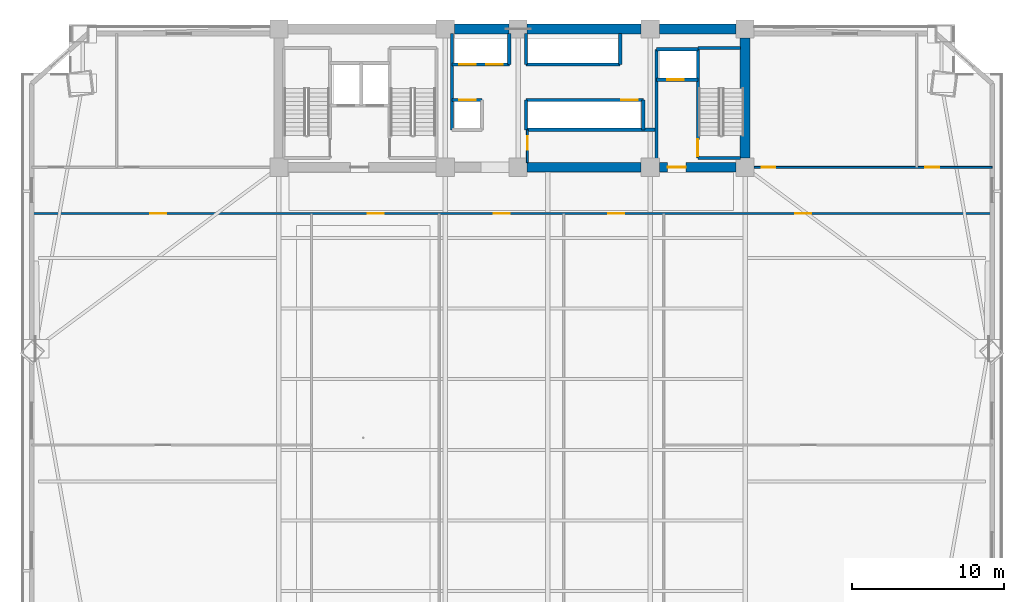
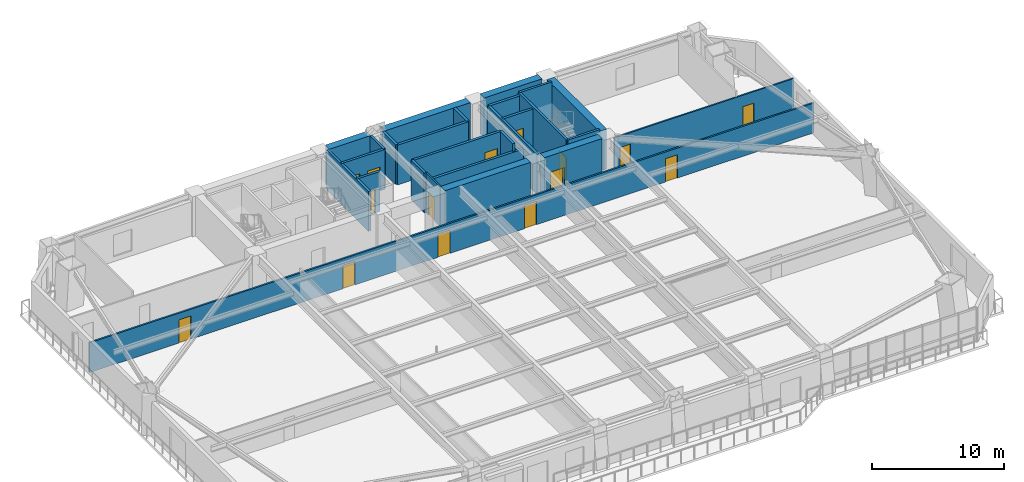
# One storey, part 10 of 17: 26 walls, 15 doors, 15 openings.
"""IFC4 building model written with IfcOpenShell, lengths in metres."""

from ifc_helpers import new_model, si_unit, direction, frame, frame_2d, origin, place, context, subcontext, project, spatial, rectangle, extrude, source, transform, mapped, material, layer, layer_set, type_object, element, fill, save


model = new_model("IFC4")

# Units and contexts
model_context = context("Model", 3, precision=1e-05, world=origin(), true_north=direction((0.0, 1.0)))
body_context = subcontext(model_context, "Body", "Model", "MODEL_VIEW")
ifc_project = project(units=[si_unit("LENGTHUNIT", "METRE"), si_unit("AREAUNIT", "SQUARE_METRE"), si_unit("VOLUMEUNIT", "CUBIC_METRE"), si_unit("PLANEANGLEUNIT", "RADIAN"), si_unit("MASSUNIT", "GRAM", prefix="KILO")], contexts=[model_context])

# Site, building, storey
site_placement = place(None, origin())
site = spatial("IfcSite", under=ifc_project, at=site_placement, CompositionType="ELEMENT")
building_placement = place(site_placement, origin())
building = spatial("IfcBuilding", under=site, at=building_placement, Name="Giltprow Tower", CompositionType="ELEMENT")
storey_placement = place(building_placement, frame((0.0, 0.0, 57.199951171875)))
storey = spatial("IfcBuildingStorey", under=building, at=storey_placement, Name="L14", CompositionType="ELEMENT", Elevation=57.199951171875)

# Wall, openings, doors
ifc_material_1 = material(Name="Gypsum stud partition", Category="gypsum")
ifc_layer_1 = layer(ifc_material_1, 0.14990234375, Name="Gypsum stud partition")
ifc_layer_set_1 = layer_set([ifc_layer_1], Name="Gypsum stud partition")
wall_type_1 = type_object("IfcWallType", Name="IW-CORR-150", PredefinedType="PARTITIONING", material=ifc_layer_set_1)
wall_1_placement = place(storey_placement, frame((3.570068359375, 34.39990234375, 0.0), z_axis=(0.0, 0.0, 1.0), x_axis=(1.0, 0.0, 0.0)))
wall_1 = element("IfcWall", 1, at=wall_1_placement, inside=storey, type_object=wall_type_1, Name="L14 Office Loop Corridor Wall", PredefinedType="PARTITIONING", context=body_context, shape_type="SweptSolid", body=[
    extrude(rectangle(XDim=63.260009765625, YDim=0.14990234375, at=frame_2d((31.6298828125, 0.0))), origin(), (0.0, 0.0, 1.0), 2.76513671875),
])
opening_1_placement = place(wall_1_placement, frame((7.799072265625, 0.0, 0.0)))
opening_1 = element("IfcOpeningElement", 2, at=opening_1_placement, cuts=wall_1, Name="Opening ID31", PredefinedType="OPENING", context=body_context, shape_type="SweptSolid", body=[
    extrude(rectangle(XDim=1.050048828125, YDim=2.14990234375, at=frame_2d((0.52490234375, 1.074951171875))), frame((0.0, 0.0849609375, 0.0), z_axis=(0.0, -1.0, 0.0), x_axis=(1.0, 0.0, 0.0)), (0.0, 0.0, 1.0), 0.169921875),
])
opening_2_placement = place(wall_1_placement, frame((22.12109375, 0.0, 0.0)))
opening_2 = element("IfcOpeningElement", 3, at=opening_2_placement, cuts=wall_1, Name="Opening ID31", PredefinedType="OPENING", context=body_context, shape_type="SweptSolid", body=[
    extrude(rectangle(XDim=1.050048828125, YDim=2.14990234375, at=frame_2d((0.52490234375, 1.074951171875))), frame((0.0, 0.0849609375, 0.0), z_axis=(0.0, -1.0, 0.0), x_axis=(1.0, 0.0, 0.0)), (0.0, 0.0, 1.0), 0.169921875),
])
opening_3_placement = place(wall_1_placement, frame((30.43701171875, 0.0, 0.0)))
opening_3 = element("IfcOpeningElement", 4, at=opening_3_placement, cuts=wall_1, Name="Opening ID31", PredefinedType="OPENING", context=body_context, shape_type="SweptSolid", body=[
    extrude(rectangle(XDim=1.050048828125, YDim=2.14990234375, at=frame_2d((0.52490234375, 1.074951171875))), frame((0.0, 0.0849609375, 0.0), z_axis=(0.0, -1.0, 0.0), x_axis=(1.0, 0.0, 0.0)), (0.0, 0.0, 1.0), 0.169921875),
])
opening_4_placement = place(wall_1_placement, frame((37.965087890625, 0.0, 0.0)))
opening_4 = element("IfcOpeningElement", 5, at=opening_4_placement, cuts=wall_1, Name="Opening ID31", PredefinedType="OPENING", context=body_context, shape_type="SweptSolid", body=[
    extrude(rectangle(XDim=1.050048828125, YDim=2.14990234375, at=frame_2d((0.52490234375, 1.074951171875))), frame((0.0, 0.0849609375, 0.0), z_axis=(0.0, -1.0, 0.0), x_axis=(1.0, 0.0, 0.0)), (0.0, 0.0, 1.0), 0.169921875),
])
opening_5_placement = place(wall_1_placement, frame((50.27392578125, 0.0, 0.0)))
opening_5 = element("IfcOpeningElement", 6, at=opening_5_placement, cuts=wall_1, Name="Opening ID31", PredefinedType="OPENING", context=body_context, shape_type="SweptSolid", body=[
    extrude(rectangle(XDim=1.050048828125, YDim=2.14990234375, at=frame_2d((0.52490234375, 1.074951171875))), frame((0.0, 0.0849609375, 0.0), z_axis=(0.0, -1.0, 0.0), x_axis=(1.0, 0.0, 0.0)), (0.0, 0.0, 1.0), 0.169921875),
])
ifc_material_2 = material(Name="Engineered timber", Category="wood")
door_type_1 = type_object("IfcDoorType", Name="DR-SUITE-1050", OperationType="SINGLE_SWING_LEFT", PredefinedType="DOOR", material=ifc_material_2)
shared_shape_1 = source(origin(), body_context, "Body", "SweptSolid", [
    extrude(rectangle(XDim=1.050048828125, YDim=2.14990234375, at=frame_2d((0.52490234375, 1.074951171875))), frame((0.0, 0.02490234375, 0.0), z_axis=(0.0, -1.0, 0.0), x_axis=(1.0, 0.0, 0.0)), (0.0, 0.0, 1.0), 0.050048828125),
])
door_1_placement = place(opening_1_placement, origin())
door_1 = element("IfcDoor", 7, at=door_1_placement, inside=storey, type_object=door_type_1, Name="L14 Suite Reception Foyer Door", OperationType="SINGLE_SWING_RIGHT", OverallHeight=2.14990234375, OverallWidth=1.050048828125, PredefinedType="DOOR", context=body_context, shape_type="MappedRepresentation", body=[
    mapped(shared_shape_1, transform((0.0, 0.0, 0.0), x_axis=(1.0, 0.0, 0.0), y_axis=(0.0, 1.0, 0.0), z_axis=(0.0, 0.0, 1.0), scale=1.0)),
])
fill(opening_1, door_1)
door_2_placement = place(opening_2_placement, origin())
door_2 = element("IfcDoor", 8, at=door_2_placement, inside=storey, type_object=door_type_1, Name="L14 Brand Gallery Shop 2 Door", OperationType="SINGLE_SWING_RIGHT", OverallHeight=2.14990234375, OverallWidth=1.050048828125, PredefinedType="DOOR", context=body_context, shape_type="MappedRepresentation", body=[
    mapped(shared_shape_1, transform((0.0, 0.0, 0.0), x_axis=(1.0, 0.0, 0.0), y_axis=(0.0, 1.0, 0.0), z_axis=(0.0, 0.0, 1.0), scale=1.0)),
])
fill(opening_2, door_2)
door_3_placement = place(opening_3_placement, origin())
door_3 = element("IfcDoor", 9, at=door_3_placement, inside=storey, type_object=door_type_1, Name="L14 Watches Boutique Shop 3 Door", OperationType="SINGLE_SWING_LEFT", OverallHeight=2.14990234375, OverallWidth=1.050048828125, PredefinedType="DOOR", context=body_context, shape_type="MappedRepresentation", body=[
    mapped(shared_shape_1, transform((0.0, 0.0, 0.0), x_axis=(1.0, 0.0, 0.0), y_axis=(0.0, 1.0, 0.0), z_axis=(0.0, 0.0, 1.0), scale=1.0)),
])
fill(opening_3, door_3)
door_4_placement = place(opening_4_placement, origin())
door_4 = element("IfcDoor", 10, at=door_4_placement, inside=storey, type_object=door_type_1, Name="L14 Apparel Showroom Shop 4 Door", OperationType="SINGLE_SWING_RIGHT", OverallHeight=2.14990234375, OverallWidth=1.050048828125, PredefinedType="DOOR", context=body_context, shape_type="MappedRepresentation", body=[
    mapped(shared_shape_1, transform((0.0, 0.0, 0.0), x_axis=(1.0, 0.0, 0.0), y_axis=(0.0, 1.0, 0.0), z_axis=(0.0, 0.0, 1.0), scale=1.0)),
])
fill(opening_4, door_4)
door_5_placement = place(opening_5_placement, origin())
door_5 = element("IfcDoor", 11, at=door_5_placement, inside=storey, type_object=door_type_1, Name="L14 Suite Reception Foyer Door", OperationType="SINGLE_SWING_LEFT", OverallHeight=2.14990234375, OverallWidth=1.050048828125, PredefinedType="DOOR", context=body_context, shape_type="MappedRepresentation", body=[
    mapped(shared_shape_1, transform((0.0, 0.0, 0.0), x_axis=(1.0, 0.0, 0.0), y_axis=(0.0, 1.0, 0.0), z_axis=(0.0, 0.0, 1.0), scale=1.0)),
])
fill(opening_5, door_5)

# Wall, opening, door
ifc_material_3 = material(Name="Concrete C40", Category="concrete")
ifc_layer_2 = layer(ifc_material_3, 0.219970703125, Name="Concrete C40")
ifc_layer_set_2 = layer_set([ifc_layer_2], Name="Concrete C40")
wall_type_2 = type_object("IfcWallType", Name="IW-SHAFT-220", PredefinedType="SOLIDWALL", material=ifc_layer_set_2)
wall_2_placement = place(storey_placement, frame((44.719970703125, 43.219970703125, 0.0), z_axis=(0.0, 0.0, 1.0), x_axis=(1.0, 0.0, 0.0)))
wall_2 = element("IfcWall", 12, at=wall_2_placement, inside=storey, type_object=wall_type_2, Name="L14 FFL2 Front Shaft Wall", PredefinedType="SOLIDWALL", context=body_context, shape_type="SweptSolid", body=[
    extrude(rectangle(XDim=2.719970703125, YDim=0.219970703125, at=frame_2d((1.35986328125, 0.0))), origin(), (0.0, 0.0, 1.0), 3.679931640625),
])
opening_6_placement = place(wall_2_placement, frame((0.699951171875, 0.0, 0.0)))
opening_6 = element("IfcOpeningElement", 13, at=opening_6_placement, cuts=wall_2, Name="Opening LD-11", PredefinedType="OPENING", context=body_context, shape_type="SweptSolid", body=[
    extrude(rectangle(XDim=1.10009765625, YDim=2.199951171875, at=frame_2d((0.550048828125, 1.10009765625))), frame((0.0, 0.119873046875, 0.0), z_axis=(0.0, -1.0, 0.0), x_axis=(1.0, 0.0, 0.0)), (0.0, 0.0, 1.0), 0.239990234375),
])
ifc_material_4 = material(Name="Stainless steel", Category="steel")
door_type_2 = type_object("IfcDoorType", Name="DR-LIFT-LD1100", OperationType="SLIDING_TO_LEFT", PredefinedType="DOOR", material=ifc_material_4)
shared_shape_2 = source(origin(), body_context, "Body", "SweptSolid", [
    extrude(rectangle(XDim=1.10009765625, YDim=2.199951171875, at=frame_2d((0.550048828125, 1.10009765625))), frame((0.0, 0.02490234375, 0.0), z_axis=(0.0, -1.0, 0.0), x_axis=(1.0, 0.0, 0.0)), (0.0, 0.0, 1.0), 0.050048828125),
])
door_6_placement = place(opening_6_placement, origin())
door_6 = element("IfcDoor", 14, at=door_6_placement, inside=storey, type_object=door_type_2, Name="L14 FFL2 Landing Door", OperationType="SLIDING_TO_LEFT", OverallHeight=2.199951171875, OverallWidth=1.10009765625, PredefinedType="DOOR", context=body_context, shape_type="MappedRepresentation", body=[
    mapped(shared_shape_2, transform((0.0, 0.0, 0.0), x_axis=(1.0, 0.0, 0.0), y_axis=(0.0, 1.0, 0.0), z_axis=(0.0, 0.0, 1.0), scale=1.0)),
])
fill(opening_6, door_6)

# Walls
wall_3_placement = place(storey_placement, frame((44.719970703125, 45.219970703125, 0.0), z_axis=(0.0, 0.0, 1.0), x_axis=(1.0, 0.0, 0.0)))
element("IfcWall", 15, at=wall_3_placement, inside=storey, type_object=wall_type_2, Name="L14 FFL2 Back Shaft Wall", PredefinedType="SOLIDWALL", context=body_context, shape_type="SweptSolid", body=[
    extrude(rectangle(XDim=2.719970703125, YDim=0.219970703125, at=frame_2d((1.35986328125, 0.0))), origin(), (0.0, 0.0, 1.0), 3.679931640625),
])
wall_4_placement = place(storey_placement, frame((44.719970703125, 37.7548828125, 0.0), z_axis=(0.0, 0.0, 1.0), x_axis=(0.0, 1.0, 0.0)))
element("IfcWall", 16, at=wall_4_placement, inside=storey, type_object=wall_type_2, Name="L14 East Firefighting Lobby West Wall", PredefinedType="SOLIDWALL", context=body_context, shape_type="SweptSolid", body=[
    extrude(rectangle(XDim=7.465087890625, YDim=0.219970703125, at=frame_2d((3.732421875, 0.0))), origin(), (0.0, 0.0, 1.0), 3.679931640625),
])

# Wall, openings, doors
wall_5_placement = place(storey_placement, frame((31.25, 44.219970703125, 0.0), z_axis=(0.0, 0.0, 1.0), x_axis=(1.0, 0.0, 0.0)))
wall_5 = element("IfcWall", 17, at=wall_5_placement, inside=storey, type_object=wall_type_2, Name="L14 North West Lift Shaft Front Wall", PredefinedType="SOLIDWALL", context=body_context, shape_type="SweptSolid", body=[
    extrude(rectangle(XDim=3.77001953125, YDim=0.219970703125, at=frame_2d((1.885009765625, 0.0))), origin(), (0.0, 0.0, 1.0), 3.679931640625),
])
opening_7_placement = place(wall_5_placement, frame((0.4599609375, 0.0, 0.0)))
opening_7 = element("IfcOpeningElement", 18, at=opening_7_placement, cuts=wall_5, Name="Opening LD-11", PredefinedType="OPENING", context=body_context, shape_type="SweptSolid", body=[
    extrude(rectangle(XDim=1.10009765625, YDim=2.199951171875, at=frame_2d((0.550048828125, 1.10009765625))), frame((0.0, 0.119873046875, 0.0), z_axis=(0.0, -1.0, 0.0), x_axis=(1.0, 0.0, 0.0)), (0.0, 0.0, 1.0), 0.239990234375),
])
opening_8_placement = place(wall_5_placement, frame((2.239990234375, 0.0, 0.0)))
opening_8 = element("IfcOpeningElement", 19, at=opening_8_placement, cuts=wall_5, Name="Opening LD-11", PredefinedType="OPENING", context=body_context, shape_type="SweptSolid", body=[
    extrude(rectangle(XDim=1.10009765625, YDim=2.199951171875, at=frame_2d((0.550048828125, 1.10009765625))), frame((0.0, 0.119873046875, 0.0), z_axis=(0.0, -1.0, 0.0), x_axis=(1.0, 0.0, 0.0)), (0.0, 0.0, 1.0), 0.239990234375),
])
door_7_placement = place(opening_7_placement, origin())
door_7 = element("IfcDoor", 20, at=door_7_placement, inside=storey, type_object=door_type_2, Name="L14 PL-L1 Landing Door", OperationType="SLIDING_TO_LEFT", OverallHeight=2.199951171875, OverallWidth=1.10009765625, PredefinedType="DOOR", context=body_context, shape_type="MappedRepresentation", body=[
    mapped(shared_shape_2, transform((0.0, 0.0, 0.0), x_axis=(1.0, 0.0, 0.0), y_axis=(0.0, 1.0, 0.0), z_axis=(0.0, 0.0, 1.0), scale=1.0)),
])
fill(opening_7, door_7)
door_8_placement = place(opening_8_placement, origin())
door_8 = element("IfcDoor", 21, at=door_8_placement, inside=storey, type_object=door_type_2, Name="L14 PL-L2 Landing Door", OperationType="SLIDING_TO_LEFT", OverallHeight=2.199951171875, OverallWidth=1.10009765625, PredefinedType="DOOR", context=body_context, shape_type="MappedRepresentation", body=[
    mapped(shared_shape_2, transform((0.0, 0.0, 0.0), x_axis=(1.0, 0.0, 0.0), y_axis=(0.0, 1.0, 0.0), z_axis=(0.0, 0.0, 1.0), scale=1.0)),
])
fill(opening_8, door_8)

# Walls
wall_6_placement = place(storey_placement, frame((36.1201171875, 44.219970703125, 0.0), z_axis=(0.0, 0.0, 1.0), x_axis=(1.0, 0.0, 0.0)))
element("IfcWall", 22, at=wall_6_placement, inside=storey, type_object=wall_type_2, Name="L14 North East Lift Shaft Front Wall", PredefinedType="SOLIDWALL", context=body_context, shape_type="SweptSolid", body=[
    extrude(rectangle(XDim=6.199951171875, YDim=0.219970703125, at=frame_2d((3.10009765625, 0.0))), origin(), (0.0, 0.0, 1.0), 3.679931640625),
])
for number, where, z_axis, x_axis, name in (
    (23, (35.02001953125, 44.219970703125, 0.0), (0.0, 0.0, 1.0), (0.0, 1.0, 0.0), "L14 North West Lift Shaft East Closure"),
    (24, (36.1201171875, 44.219970703125, 0.0), (0.0, 0.0, 1.0), (0.0, 1.0, 0.0), "L14 North East Lift Shaft West Closure"),
    (25, (42.320068359375, 44.219970703125, 0.0), (0.0, 0.0, 1.0), (0.0, 1.0, 0.0), "L14 North East Lift Shaft East Closure"),
):
    element("IfcWall", number, at=place(storey_placement, frame(where, z_axis=z_axis, x_axis=x_axis)), inside=storey, type_object=wall_type_2, Name=name, PredefinedType="SOLIDWALL", context=body_context, shape_type="SweptSolid", body=[
        extrude(rectangle(XDim=2.025146484375, YDim=0.219970703125, at=frame_2d((1.0126953125, 0.0))), origin(), (0.0, 0.0, 1.0), 3.679931640625),
    ])

# Wall, opening, door
wall_7_placement = place(storey_placement, frame((31.25, 41.8798828125, 0.0), z_axis=(0.0, 0.0, 1.0), x_axis=(1.0, 0.0, 0.0)))
wall_7 = element("IfcWall", 26, at=wall_7_placement, inside=storey, type_object=wall_type_2, Name="L14 South West Lift Shaft Front Wall", PredefinedType="SOLIDWALL", context=body_context, shape_type="SweptSolid", body=[
    extrude(rectangle(XDim=1.969970703125, YDim=0.219970703125, at=frame_2d((0.98486328125, 0.0))), origin(), (0.0, 0.0, 1.0), 3.679931640625),
])
opening_9_placement = place(wall_7_placement, frame((0.4599609375, 0.0, 0.0)))
opening_9 = element("IfcOpeningElement", 27, at=opening_9_placement, cuts=wall_7, Name="Opening LD-11", PredefinedType="OPENING", context=body_context, shape_type="SweptSolid", body=[
    extrude(rectangle(XDim=1.10009765625, YDim=2.199951171875, at=frame_2d((0.550048828125, 1.10009765625))), frame((0.0, 0.119873046875, 0.0), z_axis=(0.0, -1.0, 0.0), x_axis=(1.0, 0.0, 0.0)), (0.0, 0.0, 1.0), 0.239990234375),
])
door_9_placement = place(opening_9_placement, origin())
door_9 = element("IfcDoor", 28, at=door_9_placement, inside=storey, type_object=door_type_2, Name="L14 PL-L3 Landing Door", OperationType="SLIDING_TO_LEFT", OverallHeight=2.199951171875, OverallWidth=1.10009765625, PredefinedType="DOOR", context=body_context, shape_type="MappedRepresentation", body=[
    mapped(shared_shape_2, transform((0.0, 0.0, 0.0), x_axis=(1.0, 0.0, 0.0), y_axis=(0.0, 1.0, 0.0), z_axis=(0.0, 0.0, 1.0), scale=1.0)),
])
fill(opening_9, door_9)

wall_8_placement = place(storey_placement, frame((36.1201171875, 41.8798828125, 0.0), z_axis=(0.0, 0.0, 1.0), x_axis=(1.0, 0.0, 0.0)))
wall_8 = element("IfcWall", 29, at=wall_8_placement, inside=storey, type_object=wall_type_2, Name="L14 South East Lift Shaft Front Wall", PredefinedType="SOLIDWALL", context=body_context, shape_type="SweptSolid", body=[
    extrude(rectangle(XDim=7.72998046875, YDim=0.219970703125, at=frame_2d((3.864990234375, 0.0))), origin(), (0.0, 0.0, 1.0), 3.679931640625),
])
opening_10_placement = place(wall_8_placement, frame((6.260009765625, 0.0, 0.0)))
opening_10 = element("IfcOpeningElement", 30, at=opening_10_placement, cuts=wall_8, Name="Opening LD-11", PredefinedType="OPENING", context=body_context, shape_type="SweptSolid", body=[
    extrude(rectangle(XDim=1.10009765625, YDim=2.199951171875, at=frame_2d((0.550048828125, 1.10009765625))), frame((0.0, 0.119873046875, 0.0), z_axis=(0.0, -1.0, 0.0), x_axis=(1.0, 0.0, 0.0)), (0.0, 0.0, 1.0), 0.239990234375),
])
door_10_placement = place(opening_10_placement, origin())
door_10 = element("IfcDoor", 31, at=door_10_placement, inside=storey, type_object=door_type_2, Name="L14 PL-L4 Landing Door", OperationType="SLIDING_TO_LEFT", OverallHeight=2.199951171875, OverallWidth=1.10009765625, PredefinedType="DOOR", context=body_context, shape_type="MappedRepresentation", body=[
    mapped(shared_shape_2, transform((0.0, 0.0, 0.0), x_axis=(1.0, 0.0, 0.0), y_axis=(0.0, 1.0, 0.0), z_axis=(0.0, 0.0, 1.0), scale=1.0)),
])
fill(opening_10, door_10)

# Walls
wall_9_placement = place(storey_placement, frame((36.1201171875, 39.919921875, 0.0), z_axis=(0.0, 0.0, 1.0), x_axis=(1.0, 0.0, 0.0)))
element("IfcWall", 32, at=wall_9_placement, inside=storey, type_object=wall_type_2, Name="L14 Express South Shaft Back Wall", PredefinedType="SOLIDWALL", context=body_context, shape_type="SweptSolid", body=[
    extrude(rectangle(XDim=8.599853515625, YDim=0.219970703125, at=frame_2d((4.2998046875, 0.0))), origin(), (0.0, 0.0, 1.0), 2.965087890625),
])
wall_10_placement = place(storey_placement, frame((36.1201171875, 39.919921875, 0.0), z_axis=(0.0, 0.0, 1.0), x_axis=(0.0, 1.0, 0.0)))
element("IfcWall", 33, at=wall_10_placement, inside=storey, type_object=wall_type_2, Name="L14 Express South Shaft West Closure", PredefinedType="SOLIDWALL", context=body_context, shape_type="SweptSolid", body=[
    extrude(rectangle(XDim=1.9599609375, YDim=0.219970703125, at=frame_2d((0.97998046875, 0.0))), origin(), (0.0, 0.0, 1.0), 3.679931640625),
])
wall_11_placement = place(storey_placement, frame((31.25, 39.919921875, 0.0), z_axis=(0.0, 0.0, 1.0), x_axis=(0.0, 1.0, 0.0)))
element("IfcWall", 34, at=wall_11_placement, inside=storey, type_object=wall_type_2, Name="L14 Lift Bank West Closure", PredefinedType="SOLIDWALL", context=body_context, shape_type="SweptSolid", body=[
    extrude(rectangle(XDim=6.3251953125, YDim=0.219970703125, at=frame_2d((3.16259765625, 0.0))), origin(), (0.0, 0.0, 1.0), 3.679931640625),
])
wall_12_placement = place(storey_placement, frame((43.85009765625, 39.919921875, 0.0), z_axis=(0.0, 0.0, 1.0), x_axis=(0.0, 1.0, 0.0)))
element("IfcWall", 35, at=wall_12_placement, inside=storey, type_object=wall_type_2, Name="L14 Lift Bank South-East Closure", PredefinedType="SOLIDWALL", context=body_context, shape_type="SweptSolid", body=[
    extrude(rectangle(XDim=1.9599609375, YDim=0.219970703125, at=frame_2d((0.97998046875, 0.0))), origin(), (0.0, 0.0, 1.0), 3.679931640625),
])

# Wall, opening, door
ifc_layer_3 = layer(ifc_material_3, 0.199951171875, Name="Concrete C40")
ifc_layer_set_3 = layer_set([ifc_layer_3], Name="Concrete C40")
wall_type_3 = type_object("IfcWallType", Name="IW-STAIR-200", PredefinedType="SOLIDWALL", material=ifc_layer_set_3)
wall_13_placement = place(storey_placement, frame((47.43994140625, 38.070068359375, 0.0), z_axis=(0.0, 0.0, 1.0), x_axis=(0.0, 1.0, 0.0)))
wall_13 = element("IfcWall", 36, at=wall_13_placement, inside=storey, type_object=wall_type_3, Name="L14 Stair ST-3 West Bearing Wall", PredefinedType="SOLIDWALL", context=body_context, shape_type="SweptSolid", body=[
    extrude(rectangle(XDim=7.25, YDim=0.199951171875, at=frame_2d((3.625, 0.0))), origin(), (0.0, 0.0, 1.0), 3.900146484375),
])
opening_11_placement = place(wall_13_placement, frame((0.110107421875, 0.0, 0.0)))
opening_11 = element("IfcOpeningElement", 37, at=opening_11_placement, cuts=wall_13, Name="Opening ID33", PredefinedType="OPENING", context=body_context, shape_type="SweptSolid", body=[
    extrude(rectangle(XDim=1.10009765625, YDim=2.14990234375, at=frame_2d((0.550048828125, 1.074951171875))), frame((0.0, 0.10986328125, 0.0), z_axis=(0.0, -1.0, 0.0), x_axis=(1.0, 0.0, 0.0)), (0.0, 0.0, 1.0), 0.219970703125),
])
ifc_material_5 = material(Name="Steel fire leaf", Category="steel")
door_type_3 = type_object("IfcDoorType", Name="DR-STAIR-1100", OperationType="SINGLE_SWING_LEFT", PredefinedType="DOOR", material=ifc_material_5)
shared_shape_3 = source(origin(), body_context, "Body", "SweptSolid", [
    extrude(rectangle(XDim=1.10009765625, YDim=2.14990234375, at=frame_2d((0.550048828125, 1.074951171875))), frame((0.0, 0.02490234375, 0.0), z_axis=(0.0, -1.0, 0.0), x_axis=(1.0, 0.0, 0.0)), (0.0, 0.0, 1.0), 0.050048828125),
])
door_11_placement = place(opening_11_placement, origin())
door_11 = element("IfcDoor", 38, at=door_11_placement, inside=storey, type_object=door_type_3, Name="L14 Stair ST-3 Fire Door", OperationType="SINGLE_SWING_RIGHT", OverallHeight=2.14990234375, OverallWidth=1.10009765625, PredefinedType="DOOR", context=body_context, shape_type="MappedRepresentation", body=[
    mapped(shared_shape_3, transform((0.0, 0.0, 0.0), x_axis=(1.0, 0.0, 0.0), y_axis=(0.0, 1.0, 0.0), z_axis=(0.0, 0.0, 1.0), scale=1.0)),
])
fill(opening_11, door_11)

# Walls
for number, where, z_axis, x_axis, name in (
    (39, (47.43994140625, 45.320068359375, 0.0), (0.0, 0.0, 1.0), (1.0, 0.0, 0.0), "L14 Stair ST-3 North Bearing Wall"),
    (40, (47.43994140625, 38.070068359375, 0.0), (0.0, 0.0, 1.0), (1.0, 0.0, 0.0), "L14 Stair ST-3 South Bearing Wall"),
):
    element("IfcWall", number, at=place(storey_placement, frame(where, z_axis=z_axis, x_axis=x_axis)), inside=storey, type_object=wall_type_3, Name=name, PredefinedType="SOLIDWALL", context=body_context, shape_type="SweptSolid", body=[
        extrude(rectangle(XDim=2.80517578125, YDim=0.199951171875, at=frame_2d((1.402587890625, 0.0))), origin(), (0.0, 0.0, 1.0), 3.900146484375),
    ])

# Wall, opening, door
ifc_material_6 = material(Name="Concrete C30", Category="concrete")
ifc_layer_4 = layer(ifc_material_6, 0.1298828125, Name="Concrete C30")
ifc_layer_set_4 = layer_set([ifc_layer_4], Name="Concrete C30")
wall_type_4 = type_object("IfcWallType", Name="IW-WET-130", PredefinedType="PARTITIONING", material=ifc_layer_set_4)
wall_14_placement = place(storey_placement, frame((36.219970703125, 37.7548828125, 0.0), z_axis=(0.0, 0.0, 1.0), x_axis=(0.0, 1.0, 0.0)))
wall_14 = element("IfcWall", 41, at=wall_14_placement, inside=storey, type_object=wall_type_4, Name="L14 Core Suite West Wall", PredefinedType="PARTITIONING", context=body_context, shape_type="SweptSolid", body=[
    extrude(rectangle(XDim=2.1650390625, YDim=0.1298828125, at=frame_2d((1.08251953125, 0.0))), origin(), (0.0, 0.0, 1.0), 3.679931640625),
])
opening_12_placement = place(wall_14_placement, frame((0.85498046875, 0.0, 0.0)))
opening_12 = element("IfcOpeningElement", 42, at=opening_12_placement, cuts=wall_14, Name="Opening ID35", PredefinedType="OPENING", context=body_context, shape_type="SweptSolid", body=[
    extrude(rectangle(XDim=0.89990234375, YDim=2.10009765625, at=frame_2d((0.449951171875, 1.050048828125))), frame((0.0, 0.074951171875, 0.0), z_axis=(0.0, -1.0, 0.0), x_axis=(1.0, 0.0, 0.0)), (0.0, 0.0, 1.0), 0.14990234375),
])
door_type_4 = type_object("IfcDoorType", Name="DR-SHAFT-900", OperationType="SINGLE_SWING_LEFT", PredefinedType="DOOR", material=ifc_material_5)
shared_shape_4 = source(origin(), body_context, "Body", "SweptSolid", [
    extrude(rectangle(XDim=0.89990234375, YDim=2.10009765625, at=frame_2d((0.449951171875, 1.050048828125))), frame((0.0, 0.02490234375, 0.0), z_axis=(0.0, -1.0, 0.0), x_axis=(1.0, 0.0, 0.0)), (0.0, 0.0, 1.0), 0.050048828125),
])
door_12_placement = place(opening_12_placement, origin())
door_12 = element("IfcDoor", 43, at=door_12_placement, inside=storey, type_object=door_type_4, Name="L14 Core Staff Washroom Door", OperationType="SINGLE_SWING_RIGHT", OverallHeight=2.10009765625, OverallWidth=0.89990234375, PredefinedType="DOOR", context=body_context, shape_type="MappedRepresentation", body=[
    mapped(shared_shape_4, transform((0.0, 0.0, 0.0), x_axis=(1.0, 0.0, 0.0), y_axis=(0.0, 1.0, 0.0), z_axis=(0.0, 0.0, 1.0), scale=1.0)),
])
fill(opening_12, door_12)

# Wall, openings, doors
wall_15_placement = place(storey_placement, frame((51.14990234375, 37.449951171875, 0.0), z_axis=(0.0, 0.0, 1.0), x_axis=(1.0, 0.0, 0.0)))
wall_15 = element("IfcWall", 44, at=wall_15_placement, inside=storey, type_object=wall_type_4, Name="L14 NE Wing South Wall", PredefinedType="PARTITIONING", context=body_context, shape_type="SweptSolid", body=[
    extrude(rectangle(XDim=15.68017578125, YDim=0.1298828125, at=frame_2d((7.840087890625, 0.0))), origin(), (0.0, 0.0, 1.0), 3.1650390625),
])
opening_13_placement = place(wall_15_placement, frame((0.5, 0.0, 0.0)))
opening_13 = element("IfcOpeningElement", 45, at=opening_13_placement, cuts=wall_15, Name="Opening ID15", PredefinedType="OPENING", context=body_context, shape_type="SweptSolid", body=[
    extrude(rectangle(XDim=0.89990234375, YDim=2.10009765625, at=frame_2d((0.449951171875, 1.050048828125))), frame((0.0, 0.074951171875, 0.0), z_axis=(0.0, -1.0, 0.0), x_axis=(1.0, 0.0, 0.0)), (0.0, 0.0, 1.0), 0.14990234375),
])
opening_14_placement = place(wall_15_placement, frame((11.251953125, 0.0, 0.0)))
opening_14 = element("IfcOpeningElement", 46, at=opening_14_placement, cuts=wall_15, Name="Opening ID11", PredefinedType="OPENING", context=body_context, shape_type="SweptSolid", body=[
    extrude(rectangle(XDim=0.949951171875, YDim=2.10009765625, at=frame_2d((0.47509765625, 1.050048828125))), frame((0.0, 0.074951171875, 0.0), z_axis=(0.0, -1.0, 0.0), x_axis=(1.0, 0.0, 0.0)), (0.0, 0.0, 1.0), 0.14990234375),
])
door_type_5 = type_object("IfcDoorType", Name="DR-WC-900", OperationType="SINGLE_SWING_LEFT", PredefinedType="DOOR", material=ifc_material_2)
door_13_placement = place(opening_13_placement, origin())
door_13 = element("IfcDoor", 47, at=door_13_placement, inside=storey, type_object=door_type_5, Name="L14 East Wing Washroom Door", OperationType="SINGLE_SWING_RIGHT", OverallHeight=2.10009765625, OverallWidth=0.89990234375, PredefinedType="DOOR", context=body_context, shape_type="MappedRepresentation", body=[
    mapped(shared_shape_4, transform((0.0, 0.0, 0.0), x_axis=(1.0, 0.0, 0.0), y_axis=(0.0, 1.0, 0.0), z_axis=(0.0, 0.0, 1.0), scale=1.0)),
])
fill(opening_13, door_13)
door_type_6 = type_object("IfcDoorType", Name="DR-ROOM-950", OperationType="SINGLE_SWING_RIGHT", PredefinedType="DOOR", material=ifc_material_2)
shared_shape_5 = source(origin(), body_context, "Body", "SweptSolid", [
    extrude(rectangle(XDim=0.949951171875, YDim=2.10009765625, at=frame_2d((0.47509765625, 1.050048828125))), frame((0.0, 0.02490234375, 0.0), z_axis=(0.0, -1.0, 0.0), x_axis=(1.0, 0.0, 0.0)), (0.0, 0.0, 1.0), 0.050048828125),
])
door_14_placement = place(opening_14_placement, origin())
door_14 = element("IfcDoor", 48, at=door_14_placement, inside=storey, type_object=door_type_6, Name="L14 East Tenant Archive Store Door", OperationType="SINGLE_SWING_RIGHT", OverallHeight=2.10009765625, OverallWidth=0.949951171875, PredefinedType="DOOR", context=body_context, shape_type="MappedRepresentation", body=[
    mapped(shared_shape_5, transform((0.0, 0.0, 0.0), x_axis=(1.0, 0.0, 0.0), y_axis=(0.0, 1.0, 0.0), z_axis=(0.0, 0.0, 1.0), scale=1.0)),
])
fill(opening_14, door_14)

# Walls
ifc_material_7 = material(Name="Concrete C60", Category="concrete")
ifc_layer_5 = layer(ifc_material_7, 0.64990234375, Name="Concrete C60")
ifc_layer_set_5 = layer_set([ifc_layer_5], Name="Concrete C60")
wall_type_5 = type_object("IfcWallType", Name="SW-EXT-650-C60", PredefinedType="SHEAR", material=ifc_layer_set_5)
wall_16_placement = place(storey_placement, frame((31.39990234375, 46.550048828125, 0.0), z_axis=(0.0, 0.0, 1.0), x_axis=(1.0, 0.0, 0.0)))
element("IfcWall", 49, at=wall_16_placement, inside=storey, type_object=wall_type_5, Name="L14 North Rear Core Shear Wall 2", PredefinedType="SHEAR", context=body_context, shape_type="SweptSolid", body=[
    extrude(rectangle(XDim=3.60009765625, YDim=0.64990234375, at=frame_2d((1.800048828125, 0.0))), origin(), (0.0, 0.0, 1.0), 3.679931640625),
])
wall_17_placement = place(storey_placement, frame((36.199951171875, 46.550048828125, 0.0), z_axis=(0.0, 0.0, 1.0), x_axis=(1.0, 0.0, 0.0)))
element("IfcWall", 50, at=wall_17_placement, inside=storey, type_object=wall_type_5, Name="L14 North Rear Core Shear Wall 3", PredefinedType="SHEAR", context=body_context, shape_type="SweptSolid", body=[
    extrude(rectangle(XDim=7.5, YDim=0.64990234375, at=frame_2d((3.75, 0.0))), origin(), (0.0, 0.0, 1.0), 3.679931640625),
])
wall_18_placement = place(storey_placement, frame((44.89990234375, 46.550048828125, 0.0), z_axis=(0.0, 0.0, 1.0), x_axis=(1.0, 0.0, 0.0)))
element("IfcWall", 51, at=wall_18_placement, inside=storey, type_object=wall_type_5, Name="L14 North Rear Core Shear Wall 4", PredefinedType="SHEAR", context=body_context, shape_type="SweptSolid", body=[
    extrude(rectangle(XDim=5.050048828125, YDim=0.64990234375, at=frame_2d((2.52490234375, 0.0))), origin(), (0.0, 0.0, 1.0), 3.679931640625),
])
ifc_layer_6 = layer(ifc_material_7, 0.64990234375, Name="Concrete C60")
ifc_layer_set_6 = layer_set([ifc_layer_6], Name="Concrete C60")
wall_type_6 = type_object("IfcWallType", Name="SW-INT-650-C60", PredefinedType="SHEAR", material=ifc_layer_set_6)
wall_19_placement = place(storey_placement, frame((36.199951171875, 37.449951171875, 0.0), z_axis=(0.0, 0.0, 1.0), x_axis=(1.0, 0.0, 0.0)))
element("IfcWall", 52, at=wall_19_placement, inside=storey, type_object=wall_type_6, Name="L14 South Rear Core Shear Wall Mid-East", PredefinedType="SHEAR", context=body_context, shape_type="SweptSolid", body=[
    extrude(rectangle(XDim=7.5, YDim=0.64990234375, at=frame_2d((3.75, 0.0))), origin(), (0.0, 0.0, 1.0), 3.679931640625),
])

# Wall, opening, door
wall_20_placement = place(storey_placement, frame((44.89990234375, 37.449951171875, 0.0), z_axis=(0.0, 0.0, 1.0), x_axis=(1.0, 0.0, 0.0)))
wall_20 = element("IfcWall", 53, at=wall_20_placement, inside=storey, type_object=wall_type_6, Name="L14 South Rear Core Shear Wall East", PredefinedType="SHEAR", context=body_context, shape_type="SweptSolid", body=[
    extrude(rectangle(XDim=5.050048828125, YDim=0.64990234375, at=frame_2d((2.52490234375, 0.0))), origin(), (0.0, 0.0, 1.0), 3.679931640625),
])
opening_15_placement = place(wall_20_placement, frame((0.550048828125, 0.0, 0.0)))
opening_15 = element("IfcOpeningElement", 54, at=opening_15_placement, cuts=wall_20, Name="Opening ID19", PredefinedType="OPENING", context=body_context, shape_type="SweptSolid", body=[
    extrude(rectangle(XDim=1.199951171875, YDim=2.14990234375, at=frame_2d((0.60009765625, 1.074951171875))), frame((0.0, 0.3349609375, 0.0), z_axis=(0.0, -1.0, 0.0), x_axis=(1.0, 0.0, 0.0)), (0.0, 0.0, 1.0), 0.669921875),
])
door_type_7 = type_object("IfcDoorType", Name="DR-FFLOBBY-1200", OperationType="SINGLE_SWING_RIGHT", PredefinedType="DOOR", material=ifc_material_5)
shared_shape_6 = source(origin(), body_context, "Body", "SweptSolid", [
    extrude(rectangle(XDim=1.199951171875, YDim=2.14990234375, at=frame_2d((0.60009765625, 1.074951171875))), frame((0.0, 0.02490234375, 0.0), z_axis=(0.0, -1.0, 0.0), x_axis=(1.0, 0.0, 0.0)), (0.0, 0.0, 1.0), 0.050048828125),
])
door_15_placement = place(opening_15_placement, origin())
door_15 = element("IfcDoor", 55, at=door_15_placement, inside=storey, type_object=door_type_7, Name="L14 East Firefighting Lobby Entry Door", OperationType="SINGLE_SWING_RIGHT", OverallHeight=2.14990234375, OverallWidth=1.199951171875, PredefinedType="DOOR", context=body_context, shape_type="MappedRepresentation", body=[
    mapped(shared_shape_6, transform((0.0, 0.0, 0.0), x_axis=(1.0, 0.0, 0.0), y_axis=(0.0, 1.0, 0.0), z_axis=(0.0, 0.0, 1.0), scale=1.0)),
])
fill(opening_15, door_15)

# Wall
wall_21_placement = place(storey_placement, frame((50.550048828125, 38.050048828125, 0.0), z_axis=(0.0, 0.0, 1.0), x_axis=(0.0, 1.0, 0.0)))
element("IfcWall", 56, at=wall_21_placement, inside=storey, type_object=wall_type_6, Name="L14 E Rear Core Shear Wall", PredefinedType="SHEAR", context=body_context, shape_type="SweptSolid", body=[
    extrude(rectangle(XDim=7.89990234375, YDim=0.64990234375, at=frame_2d((3.949951171875, 0.0))), origin(), (0.0, 0.0, 1.0), 3.679931640625),
])

save(model, "model.ifc")
